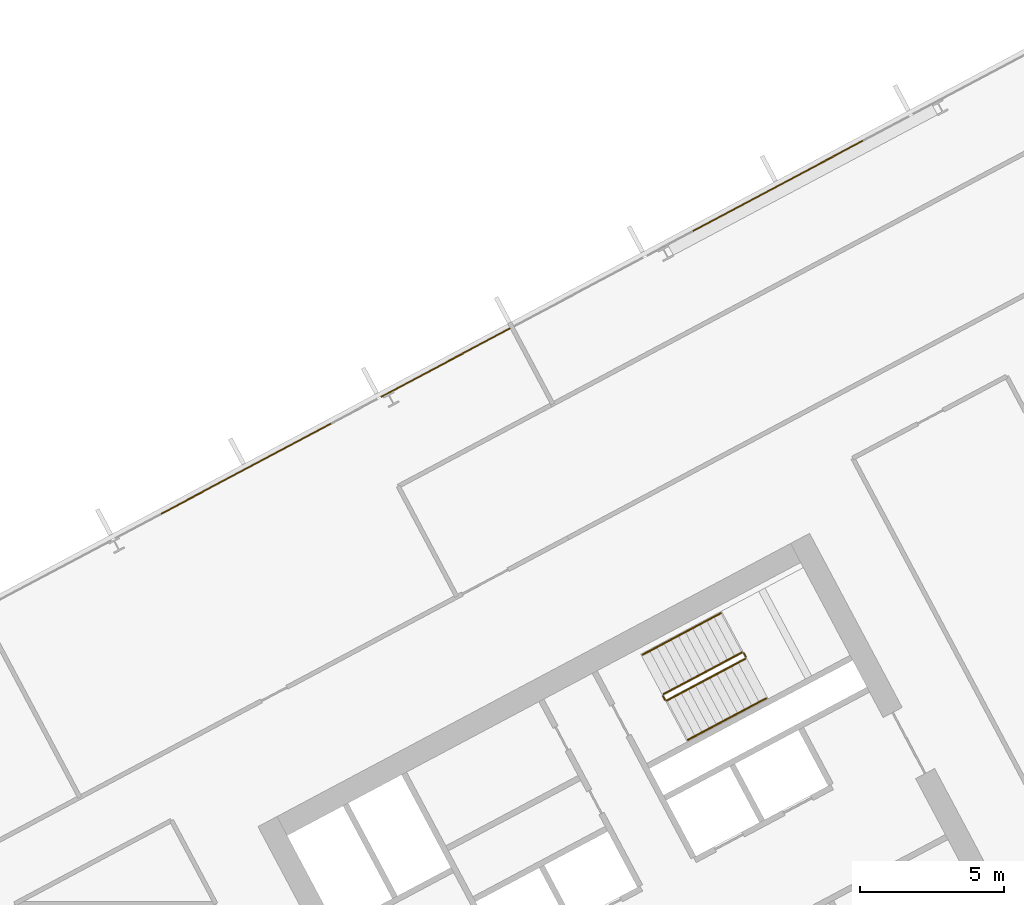
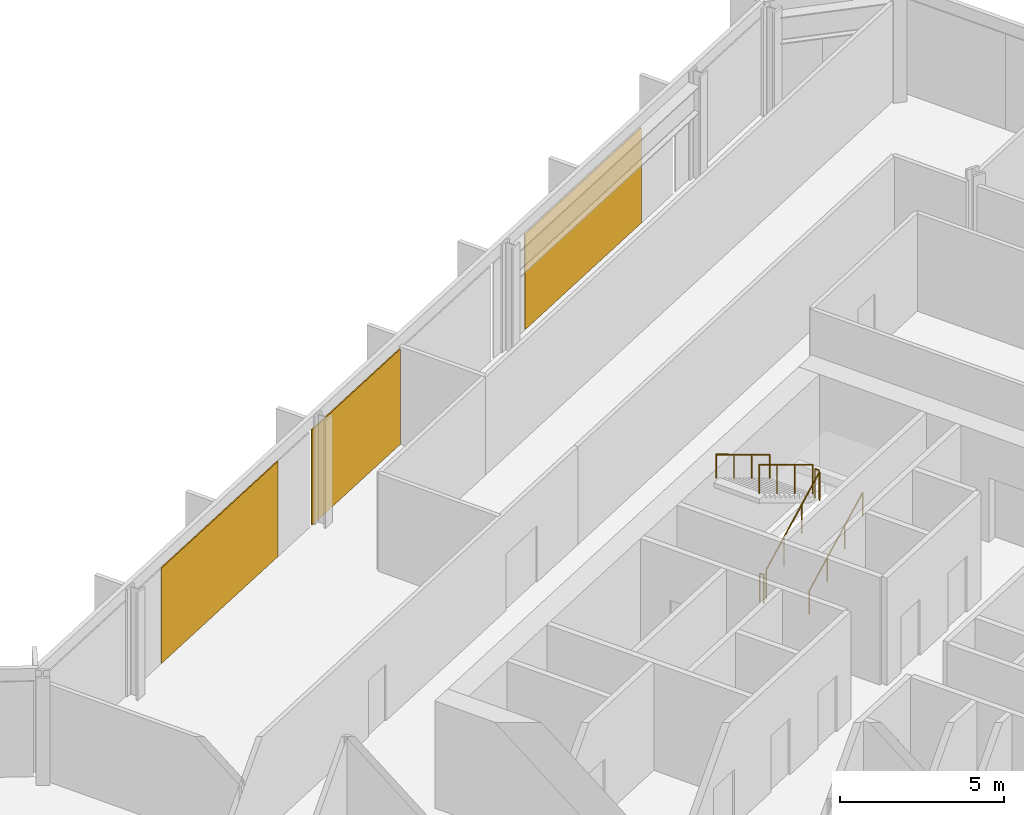
# One storey, part 27 of 28: 6 railings, 3 coverings, 1 element without a shape of its own.
"""IFC4 building model written with IfcOpenShell, lengths in metres."""

from ifc_helpers import new_model, si_unit, direction, frame, origin, origin_2d, place, context, subcontext, project, spatial, polyline, rectangle, outline, extrude, material, layer, layer_set, type_object, element, aggregate, save


model = new_model("IFC4")

# Units and contexts
model_context = context("Model", 3, precision=1e-05, world=origin(), true_north=direction((0.0, 1.0)))
body_context = subcontext(model_context, "Body", "Model", "MODEL_VIEW")
ifc_project = project(units=[si_unit("LENGTHUNIT", "METRE"), si_unit("AREAUNIT", "SQUARE_METRE"), si_unit("VOLUMEUNIT", "CUBIC_METRE"), si_unit("PLANEANGLEUNIT", "RADIAN"), si_unit("MASSUNIT", "GRAM", prefix="KILO")], contexts=[model_context])

# Site, building, storey
site_placement = place(None, origin())
site = spatial("IfcSite", under=ifc_project, at=site_placement, CompositionType="ELEMENT")
building_placement = place(site_placement, origin())
building = spatial("IfcBuilding", under=site, at=building_placement, Name="Cormorant Relay Tower", CompositionType="ELEMENT")
storey_placement = place(building_placement, frame((0.0, 0.0, 150.199951171875)))
storey = spatial("IfcBuildingStorey", under=building, at=storey_placement, Name="L31", CompositionType="ELEMENT", Elevation=150.199951171875)

# Curtain wall, coverings
ifc_material_1 = material(Name="Aluminium 6063-T6 anodised bronze", Category="aluminium")
ifc_layer_1 = layer(ifc_material_1, 0.199951171875)
ifc_layer_set_1 = layer_set([ifc_layer_1], Name="CW1 unitised bronze curtain wall with vertical fins")
curtain_wall_type = type_object("IfcCurtainWallType", Name="CW1 unitised bronze curtain wall with vertical fins", PredefinedType="NOTDEFINED", material=ifc_layer_set_1)
curtain_wall_placement = place(storey_placement, origin())
curtain_wall = element("IfcCurtainWall", 1, at=curtain_wall_placement, inside=storey, type_object=curtain_wall_type, Name="CW1 curtain wall 8", PredefinedType="NOTDEFINED")
ifc_material_2 = material(Name="Pale bronze anodised aluminium insulated panel", Category="aluminium")
ifc_layer_2 = layer(ifc_material_2, 0.0400390625)
ifc_layer_set_2 = layer_set([ifc_layer_2], Name="CW1 pale bronze insulated panel 40")
covering_type = type_object("IfcCoveringType", Name="CW1 pale bronze insulated panel 40", PredefinedType="CLADDING", material=ifc_layer_set_2)
covering_1_placement = place(storey_placement, frame((27.693603515625, 38.531494140625, 0.0), z_axis=(0.0, 0.0, 1.0), x_axis=(-0.882947592859, -0.469471562786, 0.0)))
covering_1 = element("IfcCovering", 2, at=covering_1_placement, type_object=covering_type, Name="CW1 panel S02", PredefinedType="CLADDING", context=body_context, shape_type="SweptSolid", body=[
    extrude(rectangle(XDim=6.70849609375, YDim=0.0400390625, at=origin_2d()), origin(), (0.0, 0.0, 1.0), 3.550048828125),
])
covering_2_placement = place(storey_placement, frame((16.150634765625, 32.39404296875, 0.0), z_axis=(0.0, 0.0, 1.0), x_axis=(-0.882947592859, -0.469471562786, 0.0)))
covering_2 = element("IfcCovering", 3, at=covering_2_placement, type_object=covering_type, Name="CW1 panel S05", PredefinedType="CLADDING", context=body_context, shape_type="SweptSolid", body=[
    extrude(rectangle(XDim=5.079345703125, YDim=0.0400390625, at=origin_2d()), origin(), (0.0, 0.0, 1.0), 3.550048828125),
])
covering_3_placement = place(storey_placement, frame((9.224853515625, 28.711669921875, 0.0), z_axis=(0.0, 0.0, 1.0), x_axis=(-0.882947592859, -0.469471562786, 0.0)))
covering_3 = element("IfcCovering", 4, at=covering_3_placement, type_object=covering_type, Name="CW1 panel S07", PredefinedType="CLADDING", context=body_context, shape_type="SweptSolid", body=[
    extrude(rectangle(XDim=6.70849609375, YDim=0.0400390625, at=origin_2d()), origin(), (0.0, 0.0, 1.0), 3.550048828125),
])
aggregate(curtain_wall, [covering_1, covering_2, covering_3])

# Railings
ifc_material_3 = material(Name="Steel ASTM A572 Grade 50 (Fy 345 MPa)", Category="steel")
railing_type_1 = type_object("IfcRailingType", Name="Stair guard 1100", PredefinedType="GUARDRAIL", material=ifc_material_3)
railing_1_placement = place(storey_placement, frame((23.8408203125, 20.6611328125, 0.166748046875)))
element("IfcRailing", 5, at=railing_1_placement, inside=storey, type_object=railing_type_1, Name="L31 B2 stair guard 1", PredefinedType="GUARDRAIL", context=body_context, shape_type="SweptSolid", body=[
    extrude(outline(polyline([(0.022216796875, 0.00927734375), (0.00927734375, 0.022216796875), (-0.00927734375, 0.022216796875), (-0.022216796875, 0.00927734375), (-0.022216796875, -0.00927734375), (-0.00927734375, -0.022216796875), (0.00927734375, -0.022216796875), (0.022216796875, -0.00927734375), (0.022216796875, 0.00927734375)])), frame((0.0, 0.0, 1.076171875), z_axis=(0.758734504837, 0.403377838015, 0.511476559549), x_axis=(-0.469427602063, 0.882970965786, 0.0)), (0.0, 0.0, 1.0), 3.584228515625),
    extrude(outline(polyline([(0.019287109375, 0.008056640625), (0.008056640625, 0.019287109375), (-0.008056640625, 0.019287109375), (-0.019287109375, 0.008056640625), (-0.019287109375, -0.008056640625), (-0.008056640625, -0.019287109375), (0.008056640625, -0.019287109375), (0.019287109375, -0.008056640625), (0.019287109375, 0.008056640625)])), origin(), (0.0, 0.0, 1.0), 1.052001953125),
    extrude(outline(polyline([(0.019287109375, 0.008056640625), (0.008056640625, 0.019287109375), (-0.008056640625, 0.019287109375), (-0.019287109375, 0.008056640625), (-0.019287109375, -0.008056640625), (-0.008056640625, -0.019287109375), (0.008056640625, -0.019287109375), (0.019287109375, -0.008056640625), (0.019287109375, 0.008056640625)])), frame((0.906494140625, 0.48193359375, 0.611083984375)), (0.0, 0.0, 1.0), 1.052001953125),
    extrude(outline(polyline([(0.019287109375, 0.008056640625), (0.008056640625, 0.019287109375), (-0.008056640625, 0.019287109375), (-0.019287109375, 0.008056640625), (-0.019287109375, -0.008056640625), (-0.008056640625, -0.019287109375), (0.008056640625, -0.019287109375), (0.019287109375, -0.008056640625), (0.019287109375, 0.008056640625)])), frame((1.81298828125, 0.9638671875, 1.22216796875)), (0.0, 0.0, 1.0), 1.052001953125),
    extrude(outline(polyline([(0.019287109375, 0.008056640625), (0.008056640625, 0.019287109375), (-0.008056640625, 0.019287109375), (-0.019287109375, 0.008056640625), (-0.019287109375, -0.008056640625), (-0.008056640625, -0.019287109375), (0.008056640625, -0.019287109375), (0.019287109375, -0.008056640625), (0.019287109375, 0.008056640625)])), frame((2.719482421875, 1.44580078125, 1.833251953125)), (0.0, 0.0, 1.0), 1.052001953125),
])
railing_2_placement = place(storey_placement, frame((26.5810546875, 22.174560546875, 2.0)))
element("IfcRailing", 6, at=railing_2_placement, inside=storey, type_object=railing_type_1, Name="L31 B2 stair guard 2", PredefinedType="GUARDRAIL", context=body_context, shape_type="SweptSolid", body=[
    extrude(outline(polyline([(0.022216796875, 0.00927734375), (0.00927734375, 0.022216796875), (-0.00927734375, 0.022216796875), (-0.022216796875, 0.00927734375), (-0.022216796875, -0.00927734375), (-0.00927734375, -0.022216796875), (0.00927734375, -0.022216796875), (0.022216796875, -0.00927734375), (0.022216796875, 0.00927734375)])), frame((0.0, 0.0, 1.076171875), z_axis=(-0.469828648786, 0.882757634224, 0.0), x_axis=(-0.882757634224, -0.469828648786, 0.0)), (0.0, 0.0, 1.0), 0.150146484375),
    extrude(outline(polyline([(0.019287109375, 0.008056640625), (0.008056640625, 0.019287109375), (-0.008056640625, 0.019287109375), (-0.019287109375, 0.008056640625), (-0.019287109375, -0.008056640625), (-0.008056640625, -0.019287109375), (0.008056640625, -0.019287109375), (0.019287109375, -0.008056640625), (0.019287109375, 0.008056640625)])), origin(), (0.0, 0.0, 1.0), 1.052001953125),
    extrude(outline(polyline([(0.019287109375, 0.008056640625), (0.008056640625, 0.019287109375), (-0.008056640625, 0.019287109375), (-0.019287109375, 0.008056640625), (-0.019287109375, -0.008056640625), (-0.008056640625, -0.019287109375), (0.008056640625, -0.019287109375), (0.019287109375, -0.008056640625), (0.019287109375, 0.008056640625)])), frame((-0.070556640625, 0.132568359375, 0.0)), (0.0, 0.0, 1.0), 1.052001953125),
])
railing_3_placement = place(storey_placement, frame((26.44287109375, 22.32763671875, 2.166748046875)))
element("IfcRailing", 7, at=railing_3_placement, inside=storey, type_object=railing_type_1, Name="L31 B2 stair guard 3", PredefinedType="GUARDRAIL", context=body_context, shape_type="SweptSolid", body=[
    extrude(outline(polyline([(0.022216796875, 0.00927734375), (0.00927734375, 0.022216796875), (-0.00927734375, 0.022216796875), (-0.022216796875, 0.00927734375), (-0.022216796875, -0.00927734375), (-0.00927734375, -0.022216796875), (0.00927734375, -0.022216796875), (0.022216796875, -0.00927734375), (0.022216796875, 0.00927734375)])), frame((0.0, 0.0, 1.076171875), z_axis=(-0.758734504837, -0.403377838015, 0.511476559549), x_axis=(0.469427602063, -0.882970965786, 0.0)), (0.0, 0.0, 1.0), 3.584228515625),
    extrude(outline(polyline([(0.019287109375, 0.008056640625), (0.008056640625, 0.019287109375), (-0.008056640625, 0.019287109375), (-0.019287109375, 0.008056640625), (-0.019287109375, -0.008056640625), (-0.008056640625, -0.019287109375), (0.008056640625, -0.019287109375), (0.019287109375, -0.008056640625), (0.019287109375, 0.008056640625)])), origin(), (0.0, 0.0, 1.0), 1.052001953125),
    extrude(outline(polyline([(0.019287109375, 0.008056640625), (0.008056640625, 0.019287109375), (-0.008056640625, 0.019287109375), (-0.019287109375, 0.008056640625), (-0.019287109375, -0.008056640625), (-0.008056640625, -0.019287109375), (0.008056640625, -0.019287109375), (0.019287109375, -0.008056640625), (0.019287109375, 0.008056640625)])), frame((-0.906494140625, -0.48193359375, 0.611083984375)), (0.0, 0.0, 1.0), 1.052001953125),
    extrude(outline(polyline([(0.019287109375, 0.008056640625), (0.008056640625, 0.019287109375), (-0.008056640625, 0.019287109375), (-0.019287109375, 0.008056640625), (-0.019287109375, -0.008056640625), (-0.008056640625, -0.019287109375), (0.008056640625, -0.019287109375), (0.019287109375, -0.008056640625), (0.019287109375, 0.008056640625)])), frame((-1.81298828125, -0.9638671875, 1.22216796875)), (0.0, 0.0, 1.0), 1.052001953125),
    extrude(outline(polyline([(0.019287109375, 0.008056640625), (0.008056640625, 0.019287109375), (-0.008056640625, 0.019287109375), (-0.019287109375, 0.008056640625), (-0.019287109375, -0.008056640625), (-0.008056640625, -0.019287109375), (0.008056640625, -0.019287109375), (0.019287109375, -0.008056640625), (0.019287109375, 0.008056640625)])), frame((-2.719482421875, -1.44580078125, 1.833251953125)), (0.0, 0.0, 1.0), 1.052001953125),
])
railing_4_placement = place(storey_placement, frame((23.773193359375, 20.681640625, 0.0)))
element("IfcRailing", 8, at=railing_4_placement, inside=storey, type_object=railing_type_1, Name="L31 B2 stair guard 4", PredefinedType="GUARDRAIL", context=body_context, shape_type="SweptSolid", body=[
    extrude(outline(polyline([(0.022216796875, 0.00927734375), (0.00927734375, 0.022216796875), (-0.00927734375, 0.022216796875), (-0.022216796875, 0.00927734375), (-0.022216796875, -0.00927734375), (-0.00927734375, -0.022216796875), (0.00927734375, -0.022216796875), (0.022216796875, -0.00927734375), (0.022216796875, 0.00927734375)])), frame((0.0, 0.0, 1.076171875), z_axis=(-0.46856034887, 0.8834314911, 0.0), x_axis=(-0.8834314911, -0.46856034887, 0.0)), (0.0, 0.0, 1.0), 0.150146484375),
    extrude(outline(polyline([(0.019287109375, 0.008056640625), (0.008056640625, 0.019287109375), (-0.008056640625, 0.019287109375), (-0.019287109375, 0.008056640625), (-0.019287109375, -0.008056640625), (-0.008056640625, -0.019287109375), (0.008056640625, -0.019287109375), (0.019287109375, -0.008056640625), (0.019287109375, 0.008056640625)])), origin(), (0.0, 0.0, 1.0), 1.052001953125),
    extrude(outline(polyline([(0.019287109375, 0.008056640625), (0.008056640625, 0.019287109375), (-0.008056640625, 0.019287109375), (-0.019287109375, 0.008056640625), (-0.019287109375, -0.008056640625), (-0.008056640625, -0.019287109375), (0.008056640625, -0.019287109375), (0.019287109375, -0.008056640625), (0.019287109375, 0.008056640625)])), frame((-0.0703125, 0.132568359375, 0.0)), (0.0, 0.0, 1.0), 1.052001953125),
])
ifc_material_4 = material(Name="Steel ASTM A572 Grade 50 (Fy 345 MPa)", Category="steel")
railing_type_2 = type_object("IfcRailingType", Name="Stair handrail 900", PredefinedType="HANDRAIL", material=ifc_material_4)
railing_5_placement = place(storey_placement, frame((24.568603515625, 19.29248046875, 0.166748046875)))
element("IfcRailing", 9, at=railing_5_placement, inside=storey, type_object=railing_type_2, Name="L31 B2 stair handrail 1", PredefinedType="HANDRAIL", context=body_context, shape_type="SweptSolid", body=[
    extrude(outline(polyline([(0.022216796875, 0.00927734375), (0.00927734375, 0.022216796875), (-0.00927734375, 0.022216796875), (-0.022216796875, 0.00927734375), (-0.022216796875, -0.00927734375), (-0.00927734375, -0.022216796875), (0.00927734375, -0.022216796875), (0.022216796875, -0.00927734375), (0.022216796875, 0.00927734375)])), frame((0.0, 0.0, 0.8759765625), z_axis=(0.758713656843, 0.403434867536, 0.511462505542), x_axis=(-0.469489399267, 0.882938108802, 0.0)), (0.0, 0.0, 1.0), 3.584228515625),
    extrude(outline(polyline([(0.019287109375, 0.008056640625), (0.008056640625, 0.019287109375), (-0.008056640625, 0.019287109375), (-0.019287109375, 0.008056640625), (-0.019287109375, -0.008056640625), (-0.008056640625, -0.019287109375), (0.008056640625, -0.019287109375), (0.019287109375, -0.008056640625), (0.019287109375, 0.008056640625)])), origin(), (0.0, 0.0, 1.0), 0.851806640625),
    extrude(outline(polyline([(0.019287109375, 0.008056640625), (0.008056640625, 0.019287109375), (-0.008056640625, 0.019287109375), (-0.019287109375, 0.008056640625), (-0.019287109375, -0.008056640625), (-0.008056640625, -0.019287109375), (0.008056640625, -0.019287109375), (0.019287109375, -0.008056640625), (0.019287109375, 0.008056640625)])), frame((0.906494140625, 0.48193359375, 0.611083984375)), (0.0, 0.0, 1.0), 0.851806640625),
    extrude(outline(polyline([(0.019287109375, 0.008056640625), (0.008056640625, 0.019287109375), (-0.008056640625, 0.019287109375), (-0.019287109375, 0.008056640625), (-0.019287109375, -0.008056640625), (-0.008056640625, -0.019287109375), (0.008056640625, -0.019287109375), (0.019287109375, -0.008056640625), (0.019287109375, 0.008056640625)])), frame((1.81298828125, 0.964111328125, 1.22216796875)), (0.0, 0.0, 1.0), 0.851806640625),
    extrude(outline(polyline([(0.019287109375, 0.008056640625), (0.008056640625, 0.019287109375), (-0.008056640625, 0.019287109375), (-0.019287109375, 0.008056640625), (-0.019287109375, -0.008056640625), (-0.008056640625, -0.019287109375), (0.008056640625, -0.019287109375), (0.019287109375, -0.008056640625), (0.019287109375, 0.008056640625)])), frame((2.719482421875, 1.446044921875, 1.833251953125)), (0.0, 0.0, 1.0), 0.851806640625),
])
railing_6_placement = place(storey_placement, frame((25.71533203125, 23.6962890625, 2.166748046875)))
element("IfcRailing", 10, at=railing_6_placement, inside=storey, type_object=railing_type_2, Name="L31 B2 stair handrail 2", PredefinedType="HANDRAIL", context=body_context, shape_type="SweptSolid", body=[
    extrude(outline(polyline([(0.022216796875, 0.00927734375), (0.00927734375, 0.022216796875), (-0.00927734375, 0.022216796875), (-0.022216796875, 0.00927734375), (-0.022216796875, -0.00927734375), (-0.00927734375, -0.022216796875), (0.00927734375, -0.022216796875), (0.022216796875, -0.00927734375), (0.022216796875, 0.00927734375)])), frame((0.0, 0.0, 0.8759765625), z_axis=(-0.758713656843, -0.403434867536, 0.511462505542), x_axis=(0.469489399267, -0.882938108802, 0.0)), (0.0, 0.0, 1.0), 3.584228515625),
    extrude(outline(polyline([(0.019287109375, 0.008056640625), (0.008056640625, 0.019287109375), (-0.008056640625, 0.019287109375), (-0.019287109375, 0.008056640625), (-0.019287109375, -0.008056640625), (-0.008056640625, -0.019287109375), (0.008056640625, -0.019287109375), (0.019287109375, -0.008056640625), (0.019287109375, 0.008056640625)])), origin(), (0.0, 0.0, 1.0), 0.851806640625),
    extrude(outline(polyline([(0.019287109375, 0.008056640625), (0.008056640625, 0.019287109375), (-0.008056640625, 0.019287109375), (-0.019287109375, 0.008056640625), (-0.019287109375, -0.008056640625), (-0.008056640625, -0.019287109375), (0.008056640625, -0.019287109375), (0.019287109375, -0.008056640625), (0.019287109375, 0.008056640625)])), frame((-0.906494140625, -0.48193359375, 0.611083984375)), (0.0, 0.0, 1.0), 0.851806640625),
    extrude(outline(polyline([(0.019287109375, 0.008056640625), (0.008056640625, 0.019287109375), (-0.008056640625, 0.019287109375), (-0.019287109375, 0.008056640625), (-0.019287109375, -0.008056640625), (-0.008056640625, -0.019287109375), (0.008056640625, -0.019287109375), (0.019287109375, -0.008056640625), (0.019287109375, 0.008056640625)])), frame((-1.81298828125, -0.964111328125, 1.22216796875)), (0.0, 0.0, 1.0), 0.851806640625),
    extrude(outline(polyline([(0.019287109375, 0.008056640625), (0.008056640625, 0.019287109375), (-0.008056640625, 0.019287109375), (-0.019287109375, 0.008056640625), (-0.019287109375, -0.008056640625), (-0.008056640625, -0.019287109375), (0.008056640625, -0.019287109375), (0.019287109375, -0.008056640625), (0.019287109375, 0.008056640625)])), frame((-2.719482421875, -1.446044921875, 1.833251953125)), (0.0, 0.0, 1.0), 0.851806640625),
])

save(model, "model.ifc")
